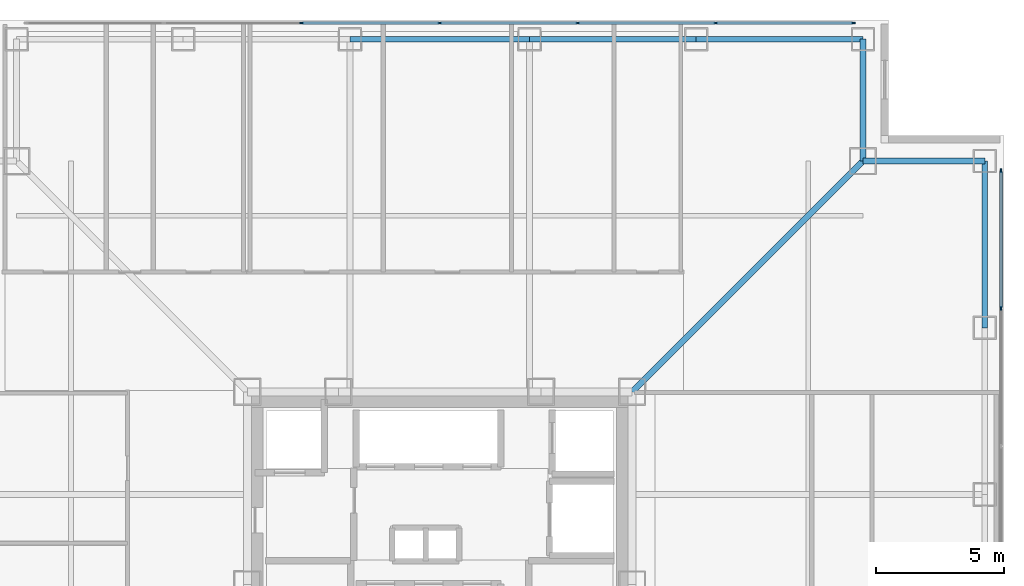
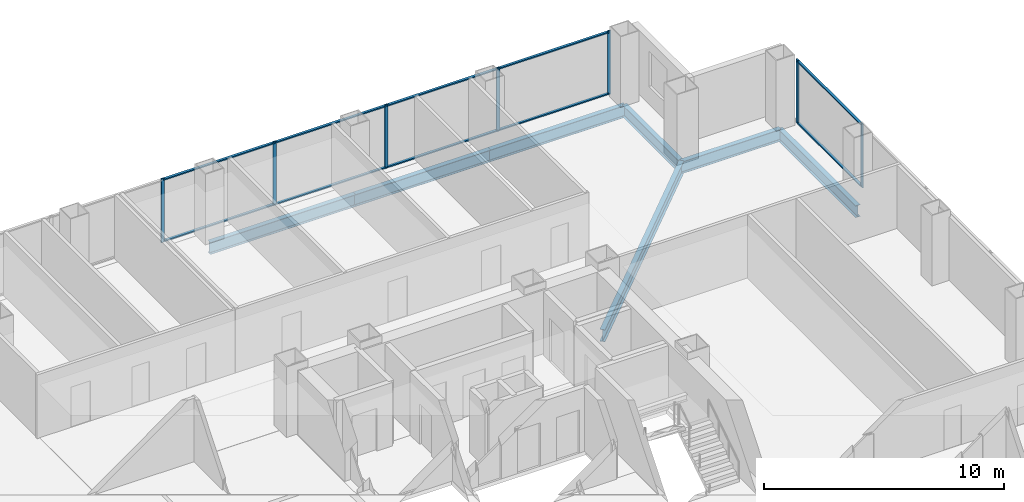
# One storey, part 11 of 18: 17 members, 7 beams, 2 elements without a shape of their own.
"""IFC4 building model written with IfcOpenShell, lengths in metres."""

from ifc_helpers import new_model, si_unit, direction, frame, origin, origin_2d, place, context, subcontext, project, spatial, rectangle, i_section, extrude, material, layer, layer_set, material_profile, profile_set, type_object, element, aggregate, save


model = new_model("IFC4")

# Units and contexts
model_context = context("Model", 3, precision=1e-05, world=origin(), true_north=direction((0.0, 1.0)))
body_context = subcontext(model_context, "Body", "Model", "MODEL_VIEW")
ifc_project = project(units=[si_unit("LENGTHUNIT", "METRE"), si_unit("AREAUNIT", "SQUARE_METRE"), si_unit("VOLUMEUNIT", "CUBIC_METRE"), si_unit("PLANEANGLEUNIT", "RADIAN"), si_unit("MASSUNIT", "GRAM", prefix="KILO")], contexts=[model_context])

# Site, building, storey
site_placement = place(None, origin())
site = spatial("IfcSite", under=ifc_project, at=site_placement, CompositionType="ELEMENT")
building_placement = place(site_placement, origin())
building = spatial("IfcBuilding", under=site, at=building_placement, Name="Trevonay Congress Spire", CompositionType="ELEMENT")
storey_placement = place(building_placement, frame((0.0, 0.0, 151.60009765625)))
storey = spatial("IfcBuildingStorey", under=building, at=storey_placement, Name="L39", CompositionType="ELEMENT", Elevation=151.60009765625)

# Beams
ifc_material_1 = material(Name="Steel ASTM A572 Grade 50", Category="steel")
ifc_material_profile_1 = material_profile(ifc_material_1, i_section(OverallWidth=0.22998046875, OverallDepth=0.616943359375, WebThickness=0.01318359375, FlangeThickness=0.022216796875, FilletRadius=0.01611328125, at=origin_2d()), Name="W610x140")
ifc_profile_set_1 = profile_set([ifc_material_profile_1], Name="Steel ASTM A572 Grade 50")
beam_type_1 = type_object("IfcBeamType", Name="BM-GIRD-W610X140", PredefinedType="BEAM", material=ifc_profile_set_1)
beam_1_placement = place(storey_placement, frame((7.5, 7.5, -0.548583984375), z_axis=(0.707106781187, 0.707106781187, 0.0), x_axis=(-0.707106781187, 0.707106781187, 0.0)))
element("IfcBeam", 1, at=beam_1_placement, inside=storey, type_object=beam_type_1, Name="L39 structural beam BM-L39-CDNE", PredefinedType="BEAM", context=body_context, shape_type="SweptSolid", body=[
    extrude(i_section(OverallWidth=0.22998046875, OverallDepth=0.616943359375, WebThickness=0.01318359375, FlangeThickness=0.022216796875, FilletRadius=0.01611328125, at=origin_2d()), origin(), (0.0, 0.0, 1.0), 12.72802734375),
])
ifc_material_profile_2 = material_profile(ifc_material_1, i_section(OverallWidth=0.22802734375, OverallDepth=0.60791015625, WebThickness=0.01123046875, FlangeThickness=0.017333984375, FilletRadius=0.01611328125, at=origin_2d()), Name="W610x113")
ifc_profile_set_2 = profile_set([ifc_material_profile_2], Name="Steel ASTM A572 Grade 50")
beam_type_2 = type_object("IfcBeamType", Name="BM-RING-W610X113", PredefinedType="BEAM", material=ifc_profile_set_2)
beam_2_placement = place(storey_placement, frame((-3.5, 21.25, -0.544189453125), z_axis=(1.0, 0.0, 0.0), x_axis=(0.0, 1.0, 0.0)))
element("IfcBeam", 2, at=beam_2_placement, inside=storey, type_object=beam_type_2, Name="L39 structural beam BM-L39-PN3", PredefinedType="BEAM", context=body_context, shape_type="SweptSolid", body=[
    extrude(i_section(OverallWidth=0.22802734375, OverallDepth=0.60791015625, WebThickness=0.01123046875, FlangeThickness=0.017333984375, FilletRadius=0.01611328125, at=origin_2d()), origin(), (0.0, 0.0, 1.0), 7.0),
])
for number, where, z_axis, x_axis, name in (
    (3, (3.5, 21.25, -0.544189453125), (1.0, 0.0, 0.0), (0.0, 1.0, 0.0), "L39 structural beam BM-L39-PN4"),
    (4, (10.0, 21.25, -0.544189453125), (1.0, 0.0, 0.0), (0.0, 1.0, 0.0), "L39 structural beam BM-L39-PN5"),
    (5, (21.25, 10.0, -0.544189453125), (0.0, 1.0, 0.0), (-1.0, 0.0, 0.0), "L39 structural beam BM-L39-PE5"),
):
    element("IfcBeam", number, at=place(storey_placement, frame(where, z_axis=z_axis, x_axis=x_axis)), inside=storey, type_object=beam_type_2, Name=name, PredefinedType="BEAM", context=body_context, shape_type="SweptSolid", body=[
        extrude(i_section(OverallWidth=0.22802734375, OverallDepth=0.60791015625, WebThickness=0.01123046875, FlangeThickness=0.017333984375, FilletRadius=0.01611328125, at=origin_2d()), origin(), (0.0, 0.0, 1.0), 6.5),
    ])
for number, where, z_axis, x_axis, name in (
    (6, (16.5, 21.25, -0.544189453125), (0.0, -1.0, 0.0), (1.0, 0.0, 0.0), "L39 structural beam BM-L39-N1NE"),
    (7, (21.25, 16.5, -0.544189453125), (-1.0, 0.0, 0.0), (0.0, -1.0, 0.0), "L39 structural beam BM-L39-N2NE"),
):
    element("IfcBeam", number, at=place(storey_placement, frame(where, z_axis=z_axis, x_axis=x_axis)), inside=storey, type_object=beam_type_2, Name=name, PredefinedType="BEAM", context=body_context, shape_type="SweptSolid", body=[
        extrude(i_section(OverallWidth=0.22802734375, OverallDepth=0.60791015625, WebThickness=0.01123046875, FlangeThickness=0.017333984375, FilletRadius=0.01611328125, at=origin_2d()), origin(), (0.0, 0.0, 1.0), 4.75),
    ])

# Curtain wall, members
ifc_material_2 = material(Name="Pale Anodised Aluminium EN AW-6063-T6", Category="aluminium")
ifc_layer = layer(ifc_material_2, 0.175048828125, Name="Pale Anodised Aluminium EN AW-6063-T6")
ifc_layer_set = layer_set([ifc_layer], Name="Pale Anodised Aluminium EN AW-6063-T6")
curtain_wall_type = type_object("IfcCurtainWallType", Name="CW-SYS03-CONGRESS-PALE-METAL", PredefinedType="NOTDEFINED", material=ifc_layer_set)
curtain_wall_1_placement = place(storey_placement, origin())
curtain_wall_1 = element("IfcCurtainWall", 8, at=curtain_wall_1_placement, inside=storey, type_object=curtain_wall_type, Name="L39 N unitised curtain wall", PredefinedType="NOTDEFINED")
ifc_material_profile_3 = material_profile(ifc_material_2, rectangle(XDim=0.06005859375, YDim=0.159912109375, at=origin_2d()), Name="CW-MULLION-160-ALUMINIUM")
ifc_profile_set_3 = profile_set([ifc_material_profile_3], Name="Pale Anodised Aluminium EN AW-6063-T6")
member_type_1 = type_object("IfcMemberType", Name="CW-MULLION-160-ALUMINIUM", PredefinedType="MULLION", material=ifc_profile_set_3)
member_1_placement = place(storey_placement, frame((-5.38330078125, 21.8798828125, 0.0), z_axis=(0.0, 0.0, 1.0), x_axis=(0.0, 1.0, 0.0)))
member_1 = element("IfcMember", 9, at=member_1_placement, type_object=member_type_1, Name="CW03 mullion 3", PredefinedType="MULLION", context=body_context, shape_type="SweptSolid", body=[
    extrude(rectangle(XDim=0.06005859375, YDim=0.159912109375, at=origin_2d()), origin(), (0.0, 0.0, 1.0), 3.25),
])
member_2_placement = place(storey_placement, frame((0.0, 21.8798828125, 0.0), z_axis=(0.0, 0.0, 1.0), x_axis=(0.0, 1.0, 0.0)))
member_2 = element("IfcMember", 10, at=member_2_placement, type_object=member_type_1, Name="CW03 mullion 4", PredefinedType="MULLION", context=body_context, shape_type="SweptSolid", body=[
    extrude(rectangle(XDim=0.06005859375, YDim=0.159912109375, at=origin_2d()), origin(), (0.0, 0.0, 1.0), 3.25),
])
member_3_placement = place(storey_placement, frame((5.38330078125, 21.8798828125, 0.0), z_axis=(0.0, 0.0, 1.0), x_axis=(0.0, 1.0, 0.0)))
member_3 = element("IfcMember", 11, at=member_3_placement, type_object=member_type_1, Name="CW03 mullion 5", PredefinedType="MULLION", context=body_context, shape_type="SweptSolid", body=[
    extrude(rectangle(XDim=0.06005859375, YDim=0.159912109375, at=origin_2d()), origin(), (0.0, 0.0, 1.0), 3.25),
])
member_4_placement = place(storey_placement, frame((10.7666015625, 21.8798828125, 0.0), z_axis=(0.0, 0.0, 1.0), x_axis=(0.0, 1.0, 0.0)))
member_4 = element("IfcMember", 12, at=member_4_placement, type_object=member_type_1, Name="CW03 mullion 6", PredefinedType="MULLION", context=body_context, shape_type="SweptSolid", body=[
    extrude(rectangle(XDim=0.06005859375, YDim=0.159912109375, at=origin_2d()), origin(), (0.0, 0.0, 1.0), 3.25),
])
member_5_placement = place(storey_placement, frame((16.1201171875, 21.8798828125, 0.0), z_axis=(0.0, 0.0, 1.0), x_axis=(0.0, 1.0, 0.0)))
member_5 = element("IfcMember", 13, at=member_5_placement, type_object=member_type_1, Name="CW03 mullion 7", PredefinedType="MULLION", context=body_context, shape_type="SweptSolid", body=[
    extrude(rectangle(XDim=0.06005859375, YDim=0.159912109375, at=origin_2d()), origin(), (0.0, 0.0, 1.0), 3.25),
])

curtain_wall_2_placement = place(storey_placement, origin())
curtain_wall_2 = element("IfcCurtainWall", 14, at=curtain_wall_2_placement, inside=storey, type_object=curtain_wall_type, Name="L39 E unitised curtain wall", PredefinedType="NOTDEFINED")
member_6_placement = place(storey_placement, frame((21.8798828125, 10.7666015625, 0.0), z_axis=(0.0, 0.0, 1.0), x_axis=(-1.0, 0.0, 0.0)))
member_6 = element("IfcMember", 15, at=member_6_placement, type_object=member_type_1, Name="CW03 mullion 6", PredefinedType="MULLION", context=body_context, shape_type="SweptSolid", body=[
    extrude(rectangle(XDim=0.06005859375, YDim=0.159912109375, at=origin_2d()), origin(), (0.0, 0.0, 1.0), 3.25),
])
member_7_placement = place(storey_placement, frame((21.8798828125, 16.1201171875, 0.0), z_axis=(0.0, 0.0, 1.0), x_axis=(-1.0, 0.0, 0.0)))
member_7 = element("IfcMember", 16, at=member_7_placement, type_object=member_type_1, Name="CW03 mullion 7", PredefinedType="MULLION", context=body_context, shape_type="SweptSolid", body=[
    extrude(rectangle(XDim=0.06005859375, YDim=0.159912109375, at=origin_2d()), origin(), (0.0, 0.0, 1.0), 3.25),
])

# Member
ifc_material_profile_4 = material_profile(ifc_material_2, rectangle(XDim=0.1201171875, YDim=0.06005859375, at=origin_2d()), Name="CW-TRANSOM-120-ALUMINIUM")
ifc_profile_set_4 = profile_set([ifc_material_profile_4], Name="Pale Anodised Aluminium EN AW-6063-T6")
member_type_2 = type_object("IfcMemberType", Name="CW-TRANSOM-120-ALUMINIUM", PredefinedType="USERDEFINED", material=ifc_profile_set_4)
member_8_placement = place(storey_placement, frame((-5.353271484375, 21.8798828125, 0.059814453125), z_axis=(1.0, 0.0, 0.0), x_axis=(0.0, 1.0, 0.0)))
member_8 = element("IfcMember", 17, at=member_8_placement, type_object=member_type_2, Name="CW03 transom 3.1", ObjectType="TRANSOM", PredefinedType="USERDEFINED", context=body_context, shape_type="SweptSolid", body=[
    extrude(rectangle(XDim=0.1201171875, YDim=0.06005859375, at=origin_2d()), origin(), (0.0, 0.0, 1.0), 5.3232421875),
])

member_9_placement = place(storey_placement, frame((-5.353271484375, 21.8798828125, 3.18994140625), z_axis=(1.0, 0.0, 0.0), x_axis=(0.0, 1.0, 0.0)))
member_9 = element("IfcMember", 18, at=member_9_placement, type_object=member_type_2, Name="CW03 transom 3.2", ObjectType="TRANSOM", PredefinedType="USERDEFINED", context=body_context, shape_type="SweptSolid", body=[
    extrude(rectangle(XDim=0.1201171875, YDim=0.06005859375, at=origin_2d()), origin(), (0.0, 0.0, 1.0), 5.3232421875),
])

member_10_placement = place(storey_placement, frame((0.030029296875, 21.8798828125, 0.059814453125), z_axis=(1.0, 0.0, 0.0), x_axis=(0.0, 1.0, 0.0)))
member_10 = element("IfcMember", 19, at=member_10_placement, type_object=member_type_2, Name="CW03 transom 4.1", ObjectType="TRANSOM", PredefinedType="USERDEFINED", context=body_context, shape_type="SweptSolid", body=[
    extrude(rectangle(XDim=0.1201171875, YDim=0.06005859375, at=origin_2d()), origin(), (0.0, 0.0, 1.0), 5.3232421875),
])

member_11_placement = place(storey_placement, frame((0.030029296875, 21.8798828125, 3.18994140625), z_axis=(1.0, 0.0, 0.0), x_axis=(0.0, 1.0, 0.0)))
member_11 = element("IfcMember", 20, at=member_11_placement, type_object=member_type_2, Name="CW03 transom 4.2", ObjectType="TRANSOM", PredefinedType="USERDEFINED", context=body_context, shape_type="SweptSolid", body=[
    extrude(rectangle(XDim=0.1201171875, YDim=0.06005859375, at=origin_2d()), origin(), (0.0, 0.0, 1.0), 5.3232421875),
])

member_12_placement = place(storey_placement, frame((5.413330078125, 21.8798828125, 0.059814453125), z_axis=(1.0, 0.0, 0.0), x_axis=(0.0, 1.0, 0.0)))
member_12 = element("IfcMember", 21, at=member_12_placement, type_object=member_type_2, Name="CW03 transom 5.1", ObjectType="TRANSOM", PredefinedType="USERDEFINED", context=body_context, shape_type="SweptSolid", body=[
    extrude(rectangle(XDim=0.1201171875, YDim=0.06005859375, at=origin_2d()), origin(), (0.0, 0.0, 1.0), 5.3232421875),
])

member_13_placement = place(storey_placement, frame((5.413330078125, 21.8798828125, 3.18994140625), z_axis=(1.0, 0.0, 0.0), x_axis=(0.0, 1.0, 0.0)))
member_13 = element("IfcMember", 22, at=member_13_placement, type_object=member_type_2, Name="CW03 transom 5.2", ObjectType="TRANSOM", PredefinedType="USERDEFINED", context=body_context, shape_type="SweptSolid", body=[
    extrude(rectangle(XDim=0.1201171875, YDim=0.06005859375, at=origin_2d()), origin(), (0.0, 0.0, 1.0), 5.3232421875),
])

member_14_placement = place(storey_placement, frame((10.796630859375, 21.8798828125, 0.059814453125), z_axis=(1.0, 0.0, 0.0), x_axis=(0.0, 1.0, 0.0)))
member_14 = element("IfcMember", 23, at=member_14_placement, type_object=member_type_2, Name="CW03 transom 6.1", ObjectType="TRANSOM", PredefinedType="USERDEFINED", context=body_context, shape_type="SweptSolid", body=[
    extrude(rectangle(XDim=0.1201171875, YDim=0.06005859375, at=origin_2d()), origin(), (0.0, 0.0, 1.0), 5.29345703125),
])

member_15_placement = place(storey_placement, frame((10.796630859375, 21.8798828125, 3.18994140625), z_axis=(1.0, 0.0, 0.0), x_axis=(0.0, 1.0, 0.0)))
member_15 = element("IfcMember", 24, at=member_15_placement, type_object=member_type_2, Name="CW03 transom 6.2", ObjectType="TRANSOM", PredefinedType="USERDEFINED", context=body_context, shape_type="SweptSolid", body=[
    extrude(rectangle(XDim=0.1201171875, YDim=0.06005859375, at=origin_2d()), origin(), (0.0, 0.0, 1.0), 5.29345703125),
])

aggregate(curtain_wall_1, [member_1, member_2, member_3, member_4, member_5, member_8, member_9, member_10, member_11, member_12, member_13, member_14, member_15])

member_16_placement = place(storey_placement, frame((21.8798828125, 10.796630859375, 0.059814453125), z_axis=(0.0, 1.0, 0.0), x_axis=(-1.0, 0.0, 0.0)))
member_16 = element("IfcMember", 25, at=member_16_placement, type_object=member_type_2, Name="CW03 transom 6.1", ObjectType="TRANSOM", PredefinedType="USERDEFINED", context=body_context, shape_type="SweptSolid", body=[
    extrude(rectangle(XDim=0.1201171875, YDim=0.06005859375, at=origin_2d()), origin(), (0.0, 0.0, 1.0), 5.29345703125),
])

member_17_placement = place(storey_placement, frame((21.8798828125, 10.796630859375, 3.18994140625), z_axis=(0.0, 1.0, 0.0), x_axis=(-1.0, 0.0, 0.0)))
member_17 = element("IfcMember", 26, at=member_17_placement, type_object=member_type_2, Name="CW03 transom 6.2", ObjectType="TRANSOM", PredefinedType="USERDEFINED", context=body_context, shape_type="SweptSolid", body=[
    extrude(rectangle(XDim=0.1201171875, YDim=0.06005859375, at=origin_2d()), origin(), (0.0, 0.0, 1.0), 5.29345703125),
])

aggregate(curtain_wall_2, [member_6, member_7, member_16, member_17])

save(model, "model.ifc")
